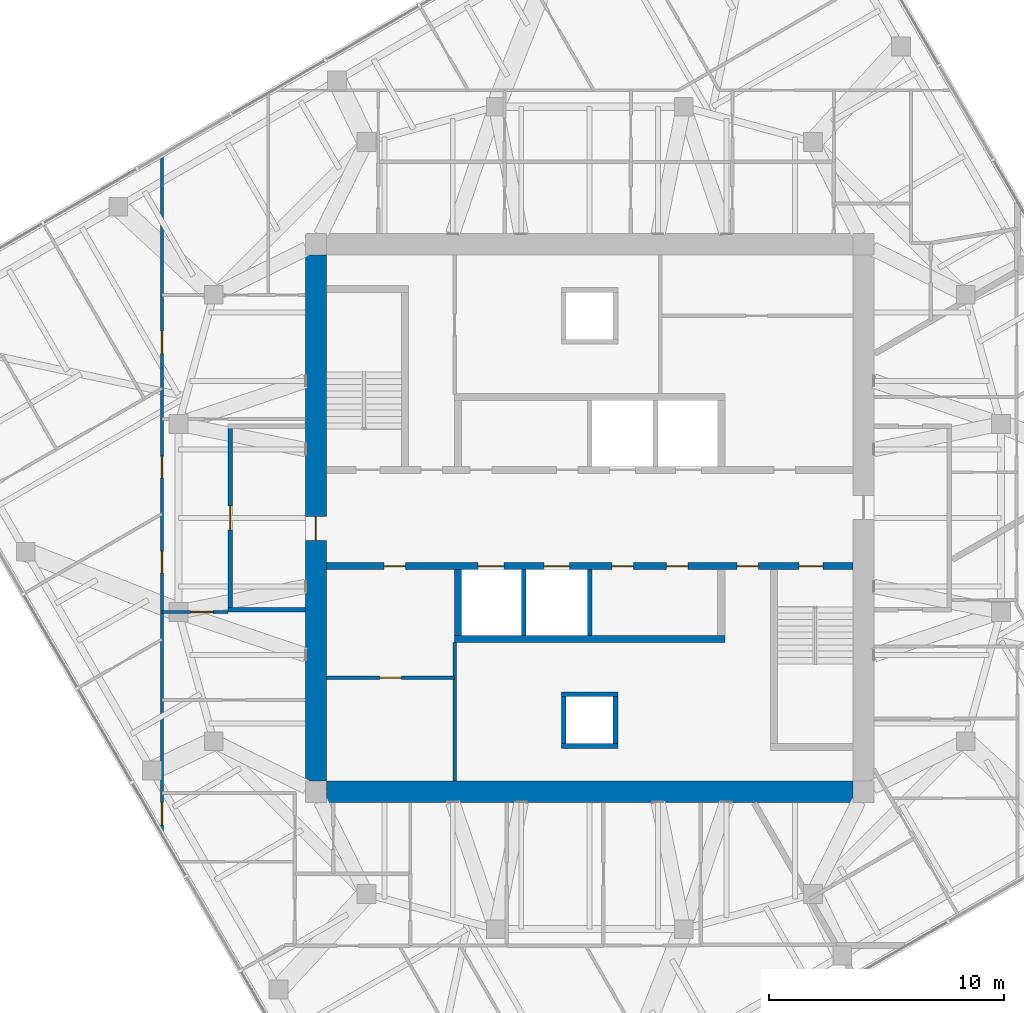
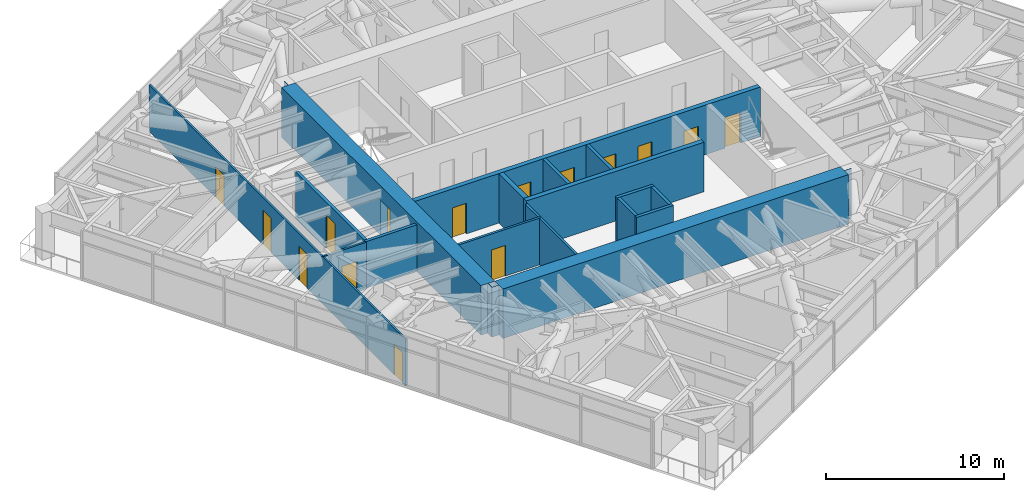
# One storey, part 10 of 16: 17 walls, 15 doors, 15 openings.
"""IFC4 building model written with IfcOpenShell, lengths in metres."""

from ifc_helpers import new_model, si_unit, direction, frame, frame_2d, origin, place, context, subcontext, project, spatial, polyline, rectangle, outline, extrude, material, layer, layer_set, type_object, element, fill, save


model = new_model("IFC4")

# Units and contexts
model_context = context("Model", 3, precision=1e-05, world=origin(), true_north=direction((0.0, 1.0)))
body_context = subcontext(model_context, "Body", "Model", "MODEL_VIEW")
ifc_project = project(units=[si_unit("LENGTHUNIT", "METRE"), si_unit("AREAUNIT", "SQUARE_METRE"), si_unit("VOLUMEUNIT", "CUBIC_METRE"), si_unit("PLANEANGLEUNIT", "RADIAN"), si_unit("MASSUNIT", "GRAM", prefix="KILO")], contexts=[model_context])

# Site, building, storey
site_placement = place(None, origin())
site = spatial("IfcSite", under=ifc_project, at=site_placement, CompositionType="ELEMENT")
building_placement = place(site_placement, origin())
building = spatial("IfcBuilding", under=site, at=building_placement, Name="Torsade Residences", CompositionType="ELEMENT")
storey_placement = place(building_placement, frame((0.0, 0.0, 232.0)))
storey = spatial("IfcBuildingStorey", under=building, at=storey_placement, Name="L64", CompositionType="ELEMENT", Elevation=232.0)

# Wall, openings, doors
ifc_material_1 = material(Name="Concrete 80 MPa", Category="concrete")
ifc_layer_1 = layer(ifc_material_1, 0.300048828125)
ifc_layer_set_1 = layer_set([ifc_layer_1], Name="Concrete 80 MPa")
wall_type_1 = type_object("IfcWallType", Name="CORE INTERNAL WALL 300", PredefinedType="SHEAR", material=ifc_layer_set_1)
wall_1_placement = place(storey_placement, frame((51.199951171875, 27.949951171875, 0.0), z_axis=(0.0, 0.0, 1.0), x_axis=(-1.0, 0.0, 0.0)))
wall_1 = element("IfcWall", 1, at=wall_1_placement, inside=storey, type_object=wall_type_1, Name="Core wall LS L64", PredefinedType="SHEAR", context=body_context, shape_type="SweptSolid", body=[
    extrude(rectangle(XDim=22.39990234375, YDim=0.300048828125, at=frame_2d((11.199951171875, 0.0))), origin(), (0.0, 0.0, 1.0), 3.39990234375),
])
opening_1_placement = place(wall_1_placement, frame((19.0400390625, 0.0, 0.0)))
opening_1 = element("IfcOpeningElement", 2, at=opening_1_placement, cuts=wall_1, Name="Opening D06", PredefinedType="OPENING", context=body_context, shape_type="SweptSolid", body=[
    extrude(rectangle(XDim=0.919921875, YDim=2.10009765625, at=frame_2d((0.4599609375, 1.050048828125))), frame((0.0, 0.159912109375, 0.0), z_axis=(0.0, -1.0, 0.0), x_axis=(1.0, 0.0, 0.0)), (0.0, 0.0, 1.0), 0.320068359375),
])
opening_2_placement = place(wall_1_placement, frame((1.264892578125, 0.0, 0.0)))
opening_2 = element("IfcOpeningElement", 3, at=opening_2_placement, cuts=wall_1, Name="Opening D03", PredefinedType="OPENING", context=body_context, shape_type="SweptSolid", body=[
    extrude(rectangle(XDim=1.02001953125, YDim=2.10009765625, at=frame_2d((0.510009765625, 1.050048828125))), frame((0.0, 0.159912109375, 0.0), z_axis=(0.0, -1.0, 0.0), x_axis=(1.0, 0.0, 0.0)), (0.0, 0.0, 1.0), 0.320068359375),
])
opening_3_placement = place(wall_1_placement, frame((4.014892578125, 0.0, 0.0)))
opening_3 = element("IfcOpeningElement", 4, at=opening_3_placement, cuts=wall_1, Name="Opening D06", PredefinedType="OPENING", context=body_context, shape_type="SweptSolid", body=[
    extrude(rectangle(XDim=0.919921875, YDim=2.10009765625, at=frame_2d((0.4599609375, 1.050048828125))), frame((0.0, 0.159912109375, 0.0), z_axis=(0.0, -1.0, 0.0), x_axis=(1.0, 0.0, 0.0)), (0.0, 0.0, 1.0), 0.320068359375),
])
opening_4_placement = place(wall_1_placement, frame((9.340087890625, 0.0, 0.0)))
opening_4 = element("IfcOpeningElement", 5, at=opening_4_placement, cuts=wall_1, Name="Opening D06", PredefinedType="OPENING", context=body_context, shape_type="SweptSolid", body=[
    extrude(rectangle(XDim=0.919921875, YDim=2.10009765625, at=frame_2d((0.4599609375, 1.050048828125))), frame((0.0, 0.159912109375, 0.0), z_axis=(0.0, -1.0, 0.0), x_axis=(1.0, 0.0, 0.0)), (0.0, 0.0, 1.0), 0.320068359375),
])
opening_5_placement = place(wall_1_placement, frame((7.014892578125, 0.0, 0.0)))
opening_5 = element("IfcOpeningElement", 6, at=opening_5_placement, cuts=wall_1, Name="Opening D06", PredefinedType="OPENING", context=body_context, shape_type="SweptSolid", body=[
    extrude(rectangle(XDim=0.919921875, YDim=2.10009765625, at=frame_2d((0.4599609375, 1.050048828125))), frame((0.0, 0.159912109375, 0.0), z_axis=(0.0, -1.0, 0.0), x_axis=(1.0, 0.0, 0.0)), (0.0, 0.0, 1.0), 0.320068359375),
])
opening_6_placement = place(wall_1_placement, frame((12.050048828125, 0.0, 0.0)))
opening_6 = element("IfcOpeningElement", 7, at=opening_6_placement, cuts=wall_1, Name="Opening LD", PredefinedType="OPENING", context=body_context, shape_type="SweptSolid", body=[
    extrude(rectangle(XDim=1.10009765625, YDim=2.10009765625, at=frame_2d((0.550048828125, 1.050048828125))), frame((0.0, 0.159912109375, 0.0), z_axis=(0.0, -1.0, 0.0), x_axis=(1.0, 0.0, 0.0)), (0.0, 0.0, 1.0), 0.320068359375),
])
opening_7_placement = place(wall_1_placement, frame((14.85009765625, 0.0, 0.0)))
opening_7 = element("IfcOpeningElement", 8, at=opening_7_placement, cuts=wall_1, Name="Opening LD", PredefinedType="OPENING", context=body_context, shape_type="SweptSolid", body=[
    extrude(rectangle(XDim=1.10009765625, YDim=2.10009765625, at=frame_2d((0.550048828125, 1.050048828125))), frame((0.0, 0.159912109375, 0.0), z_axis=(0.0, -1.0, 0.0), x_axis=(1.0, 0.0, 0.0)), (0.0, 0.0, 1.0), 0.320068359375),
])
ifc_material_2 = material(Name="Steel-framed fire door", Category="steel")
door_type_1 = type_object("IfcDoorType", Name="FIRE DOOR 1020", OperationType="NOTDEFINED", PredefinedType="DOOR", material=ifc_material_2)
door_1_placement = place(opening_2_placement, origin())
door_1 = element("IfcDoor", 9, at=door_1_placement, inside=storey, type_object=door_type_1, Name="Exit door to fire-isolated stair ST2 L64", OperationType="SINGLE_SWING_RIGHT", OverallHeight=2.10009765625, OverallWidth=1.02001953125, PredefinedType="DOOR", context=body_context, shape_type="SweptSolid", body=[
    extrude(rectangle(XDim=1.02001953125, YDim=2.10009765625, at=frame_2d((0.510009765625, 1.050048828125))), frame((0.0, 0.02490234375, 0.0), z_axis=(0.0, -1.0, 0.0), x_axis=(1.0, 0.0, 0.0)), (0.0, 0.0, 1.0), 0.050048828125),
])
fill(opening_2, door_1)
ifc_material_3 = material(Name="Steel-framed fire door", Category="steel")
door_type_2 = type_object("IfcDoorType", Name="FIRE DOOR 920", OperationType="NOTDEFINED", PredefinedType="DOOR", material=ifc_material_3)
door_2_placement = place(opening_1_placement, origin())
door_2 = element("IfcDoor", 10, at=door_2_placement, inside=storey, type_object=door_type_2, Name="Door Lift lobby to Cleaner store", OperationType="SINGLE_SWING_LEFT", OverallHeight=2.10009765625, OverallWidth=0.919921875, PredefinedType="DOOR", context=body_context, shape_type="SweptSolid", body=[
    extrude(rectangle(XDim=0.919921875, YDim=2.10009765625, at=frame_2d((0.4599609375, 1.050048828125))), frame((0.0, 0.02490234375, 0.0), z_axis=(0.0, -1.0, 0.0), x_axis=(1.0, 0.0, 0.0)), (0.0, 0.0, 1.0), 0.050048828125),
])
fill(opening_1, door_2)
door_3_placement = place(opening_3_placement, origin())
door_3 = element("IfcDoor", 11, at=door_3_placement, inside=storey, type_object=door_type_2, Name="Door Lift lobby to Communications riser room", OperationType="SINGLE_SWING_RIGHT", OverallHeight=2.10009765625, OverallWidth=0.919921875, PredefinedType="DOOR", context=body_context, shape_type="SweptSolid", body=[
    extrude(rectangle(XDim=0.919921875, YDim=2.10009765625, at=frame_2d((0.4599609375, 1.050048828125))), frame((0.0, 0.02490234375, 0.0), z_axis=(0.0, -1.0, 0.0), x_axis=(1.0, 0.0, 0.0)), (0.0, 0.0, 1.0), 0.050048828125),
])
fill(opening_3, door_3)
door_4_placement = place(opening_4_placement, origin())
door_4 = element("IfcDoor", 12, at=door_4_placement, inside=storey, type_object=door_type_2, Name="Door Lift lobby to Residents storage L64B", OperationType="SINGLE_SWING_LEFT", OverallHeight=2.10009765625, OverallWidth=0.919921875, PredefinedType="DOOR", context=body_context, shape_type="SweptSolid", body=[
    extrude(rectangle(XDim=0.919921875, YDim=2.10009765625, at=frame_2d((0.4599609375, 1.050048828125))), frame((0.0, 0.02490234375, 0.0), z_axis=(0.0, -1.0, 0.0), x_axis=(1.0, 0.0, 0.0)), (0.0, 0.0, 1.0), 0.050048828125),
])
fill(opening_4, door_4)
door_5_placement = place(opening_5_placement, origin())
door_5 = element("IfcDoor", 13, at=door_5_placement, inside=storey, type_object=door_type_2, Name="Door Lift lobby to Residents storage L64B", OperationType="SINGLE_SWING_RIGHT", OverallHeight=2.10009765625, OverallWidth=0.919921875, PredefinedType="DOOR", context=body_context, shape_type="SweptSolid", body=[
    extrude(rectangle(XDim=0.919921875, YDim=2.10009765625, at=frame_2d((0.4599609375, 1.050048828125))), frame((0.0, 0.02490234375, 0.0), z_axis=(0.0, -1.0, 0.0), x_axis=(1.0, 0.0, 0.0)), (0.0, 0.0, 1.0), 0.050048828125),
])
fill(opening_5, door_5)
ifc_material_4 = material(Name="Stainless steel lift landing door", Category="steel")
door_type_3 = type_object("IfcDoorType", Name="LIFT LANDING DOOR 1100", OperationType="SLIDING_TO_LEFT", PredefinedType="DOOR", material=ifc_material_4)
door_6_placement = place(opening_6_placement, origin())
door_6 = element("IfcDoor", 14, at=door_6_placement, inside=storey, type_object=door_type_3, Name="Lift LB3 landing door L64", OperationType="SLIDING_TO_LEFT", OverallHeight=2.10009765625, OverallWidth=1.10009765625, PredefinedType="DOOR", context=body_context, shape_type="SweptSolid", body=[
    extrude(rectangle(XDim=1.10009765625, YDim=2.10009765625, at=frame_2d((0.550048828125, 1.050048828125))), frame((0.0, 0.02490234375, 0.0), z_axis=(0.0, -1.0, 0.0), x_axis=(1.0, 0.0, 0.0)), (0.0, 0.0, 1.0), 0.050048828125),
])
fill(opening_6, door_6)
door_7_placement = place(opening_7_placement, origin())
door_7 = element("IfcDoor", 15, at=door_7_placement, inside=storey, type_object=door_type_3, Name="Lift FL2 landing door L64", OperationType="SLIDING_TO_LEFT", OverallHeight=2.10009765625, OverallWidth=1.10009765625, PredefinedType="DOOR", context=body_context, shape_type="SweptSolid", body=[
    extrude(rectangle(XDim=1.10009765625, YDim=2.10009765625, at=frame_2d((0.550048828125, 1.050048828125))), frame((0.0, 0.02490234375, 0.0), z_axis=(0.0, -1.0, 0.0), x_axis=(1.0, 0.0, 0.0)), (0.0, 0.0, 1.0), 0.050048828125),
])
fill(opening_7, door_7)

# Walls
wall_2_placement = place(storey_placement, frame((45.75, 24.85009765625, 0.0), z_axis=(0.0, 0.0, 1.0), x_axis=(-1.0, 0.0, 0.0)))
element("IfcWall", 16, at=wall_2_placement, inside=storey, type_object=wall_type_1, Name="Core wall BS L64", PredefinedType="SHEAR", context=body_context, shape_type="SweptSolid", body=[
    extrude(rectangle(XDim=11.5, YDim=0.300048828125, at=frame_2d((5.75, 0.0))), origin(), (0.0, 0.0, 1.0), 3.39990234375),
])
wall_3_placement = place(storey_placement, frame((34.39990234375, 27.800048828125, 0.0), z_axis=(0.0, 0.0, 1.0), x_axis=(0.0, -1.0, 0.0)))
element("IfcWall", 17, at=wall_3_placement, inside=storey, type_object=wall_type_1, Name="Core wall DS4 L64", PredefinedType="SHEAR", context=body_context, shape_type="SweptSolid", body=[
    extrude(rectangle(XDim=2.800048828125, YDim=0.300048828125, at=frame_2d((1.39990234375, 0.0))), origin(), (0.0, 0.0, 1.0), 3.39990234375),
])
ifc_material_5 = material(Name="Concrete 80 MPa", Category="concrete")
ifc_layer_2 = layer(ifc_material_5, 0.89990234375)
ifc_layer_set_2 = layer_set([ifc_layer_2], Name="Concrete 80 MPa")
wall_type_2 = type_object("IfcWallType", Name="CORE WALL 900", PredefinedType="SHEAR", material=ifc_layer_set_2)
wall_4_placement = place(storey_placement, frame((51.199951171875, 18.35009765625, 0.0), z_axis=(0.0, 0.0, 1.0), x_axis=(-1.0, 0.0, 0.0)))
element("IfcWall", 18, at=wall_4_placement, inside=storey, type_object=wall_type_2, Name="Core wall S L64", PredefinedType="SHEAR", context=body_context, shape_type="SweptSolid", body=[
    extrude(outline(polyline([(0.0, -0.449951171875), (22.39990234375, -0.449951171875), (22.39990234375, -0.02490234375), (22.849853515625, -0.02490234375), (22.849853515625, 0.02490234375), (22.39990234375, 0.02490234375), (22.39990234375, 0.449951171875), (0.0, 0.449951171875), (0.0, 0.02490234375), (-0.449951171875, 0.02490234375), (-0.449951171875, -0.02490234375), (0.0, -0.02490234375), (0.0, -0.449951171875)])), origin(), (0.0, 0.0, 1.0), 3.39990234375),
])

# Wall, opening, door
wall_5_placement = place(storey_placement, frame((28.35009765625, 41.199951171875, 0.0), z_axis=(0.0, 0.0, 1.0), x_axis=(0.0, -1.0, 0.0)))
wall_5 = element("IfcWall", 19, at=wall_5_placement, inside=storey, type_object=wall_type_2, Name="Core wall W L64", PredefinedType="SHEAR", context=body_context, shape_type="SweptSolid", body=[
    extrude(outline(polyline([(0.0, -0.449951171875), (22.39990234375, -0.449951171875), (22.39990234375, -0.02490234375), (22.849853515625, -0.02490234375), (22.849853515625, 0.02490234375), (22.39990234375, 0.02490234375), (22.39990234375, 0.449951171875), (0.0, 0.449951171875), (0.0, 0.02490234375), (-0.449951171875, 0.02490234375), (-0.449951171875, -0.02490234375), (0.0, -0.02490234375), (0.0, -0.449951171875)])), origin(), (0.0, 0.0, 1.0), 3.39990234375),
])
opening_8_placement = place(wall_5_placement, frame((11.139892578125, 0.0, 0.0)))
opening_8 = element("IfcOpeningElement", 20, at=opening_8_placement, cuts=wall_5, Name="Opening D04", PredefinedType="OPENING", context=body_context, shape_type="SweptSolid", body=[
    extrude(rectangle(XDim=1.02001953125, YDim=2.39990234375, at=frame_2d((0.510009765625, 1.199951171875))), frame((0.0, 0.4599609375, 0.0), z_axis=(0.0, -1.0, 0.0), x_axis=(1.0, 0.0, 0.0)), (0.0, 0.0, 1.0), 0.919921875),
])
ifc_material_6 = material(Name="Steel-framed fire door", Category="steel")
door_type_4 = type_object("IfcDoorType", Name="LOBBY SMOKE DOOR 1020x2400", OperationType="NOTDEFINED", PredefinedType="DOOR", material=ifc_material_6)
door_8_placement = place(opening_8_placement, origin())
door_8 = element("IfcDoor", 21, at=door_8_placement, inside=storey, type_object=door_type_4, Name="Lift lobby door W L64", OperationType="SINGLE_SWING_RIGHT", OverallHeight=2.39990234375, OverallWidth=1.02001953125, PredefinedType="DOOR", context=body_context, shape_type="SweptSolid", body=[
    extrude(rectangle(XDim=1.02001953125, YDim=2.39990234375, at=frame_2d((0.510009765625, 1.199951171875))), frame((0.0, 0.02490234375, 0.0), z_axis=(0.0, -1.0, 0.0), x_axis=(1.0, 0.0, 0.0)), (0.0, 0.0, 1.0), 0.050048828125),
])
fill(opening_8, door_8)

ifc_material_7 = material(Name="Plasterboard on steel stud", Category="steel")
ifc_layer_3 = layer(ifc_material_7, 0.199951171875)
ifc_layer_set_3 = layer_set([ifc_layer_3], Name="Plasterboard on steel stud")
wall_type_3 = type_object("IfcWallType", Name="CORRIDOR WALL 200", PredefinedType="PARTITIONING", material=ifc_layer_set_3)
wall_6_placement = place(storey_placement, frame((24.699951171875, 26.10009765625, 0.0), z_axis=(0.0, 0.0, 1.0), x_axis=(0.0, 1.0, 0.0)))
wall_6 = element("IfcWall", 22, at=wall_6_placement, inside=storey, type_object=wall_type_3, Name="Corridor wall L64", PredefinedType="PARTITIONING", context=body_context, shape_type="SweptSolid", body=[
    extrude(rectangle(XDim=7.7998046875, YDim=0.199951171875, at=frame_2d((3.89990234375, 0.0))), origin(), (0.0, 0.0, 1.0), 3.199951171875),
])
opening_9_placement = place(wall_6_placement, frame((3.389892578125, 0.0, 0.0)))
opening_9 = element("IfcOpeningElement", 23, at=opening_9_placement, cuts=wall_6, Name="Opening D01", PredefinedType="OPENING", context=body_context, shape_type="SweptSolid", body=[
    extrude(rectangle(XDim=1.02001953125, YDim=2.340087890625, at=frame_2d((0.510009765625, 1.169921875))), frame((0.0, 0.10986328125, 0.0), z_axis=(0.0, -1.0, 0.0), x_axis=(1.0, 0.0, 0.0)), (0.0, 0.0, 1.0), 0.219970703125),
])
ifc_material_8 = material(Name="Solid-core timber fire door", Category="wood")
door_type_5 = type_object("IfcDoorType", Name="APARTMENT ENTRY DOOR 1020x2340", OperationType="NOTDEFINED", PredefinedType="DOOR", material=ifc_material_8)
door_9_placement = place(opening_9_placement, origin())
door_9 = element("IfcDoor", 24, at=door_9_placement, inside=storey, type_object=door_type_5, Name="Door Residential corridor to Kitchen and dining", OperationType="SINGLE_SWING_LEFT", OverallHeight=2.340087890625, OverallWidth=1.02001953125, PredefinedType="DOOR", context=body_context, shape_type="SweptSolid", body=[
    extrude(rectangle(XDim=1.02001953125, YDim=2.340087890625, at=frame_2d((0.510009765625, 1.169921875))), frame((0.0, 0.02490234375, 0.0), z_axis=(0.0, -1.0, 0.0), x_axis=(1.0, 0.0, 0.0)), (0.0, 0.0, 1.0), 0.050048828125),
])
fill(opening_9, door_9)

# Walls
wall_7_placement = place(storey_placement, frame((27.89990234375, 26.10009765625, 0.0), z_axis=(0.0, 0.0, 1.0), x_axis=(-1.0, 0.0, 0.0)))
element("IfcWall", 25, at=wall_7_placement, inside=storey, type_object=wall_type_3, Name="Corridor wall L64", PredefinedType="PARTITIONING", context=body_context, shape_type="SweptSolid", body=[
    extrude(rectangle(XDim=3.2998046875, YDim=0.199951171875, at=frame_2d((1.64990234375, 0.0))), origin(), (0.0, 0.0, 1.0), 3.199951171875),
])
ifc_material_9 = material(Name="Reinforced blockwork", Category="masonry")
ifc_layer_4 = layer(ifc_material_9, 0.199951171875)
ifc_layer_set_4 = layer_set([ifc_layer_4], Name="Reinforced blockwork")
wall_type_4 = type_object("IfcWallType", Name="LIFT SHAFT DIVIDING WALL 200", PredefinedType="SOLIDWALL", material=ifc_layer_set_4)
for number, where, z_axis, x_axis, name in (
    (26, (40.0, 27.800048828125, 0.0), (0.0, 0.0, 1.0), (0.0, -1.0, 0.0), "Core wall DS2 L64"),
    (27, (37.199951171875, 27.800048828125, 0.0), (0.0, 0.0, 1.0), (0.0, -1.0, 0.0), "Core wall DS3 L64"),
):
    element("IfcWall", number, at=place(storey_placement, frame(where, z_axis=z_axis, x_axis=x_axis)), inside=storey, type_object=wall_type_4, Name=name, PredefinedType="SOLIDWALL", context=body_context, shape_type="SweptSolid", body=[
        extrude(rectangle(XDim=2.800048828125, YDim=0.199951171875, at=frame_2d((1.39990234375, 0.0))), origin(), (0.0, 0.0, 1.0), 3.39990234375),
    ])

# Wall, opening, door
ifc_material_10 = material(Name="Plasterboard on steel stud", Category="steel")
ifc_layer_5 = layer(ifc_material_10, 0.1201171875)
ifc_layer_set_5 = layer_set([ifc_layer_5], Name="Plasterboard on steel stud")
wall_type_5 = type_object("IfcWallType", Name="PARTITION 120", PredefinedType="PARTITIONING", material=ifc_layer_set_5)
wall_8_placement = place(storey_placement, frame((24.60009765625, 26.0, 0.0), z_axis=(0.0, 0.0, 1.0), x_axis=(-1.0, 0.0, 0.0)))
wall_8 = element("IfcWall", 28, at=wall_8_placement, inside=storey, type_object=wall_type_5, Name="Partition L64", PredefinedType="PARTITIONING", context=body_context, shape_type="SweptSolid", body=[
    extrude(rectangle(XDim=2.800048828125, YDim=0.1201171875, at=frame_2d((1.39990234375, 0.0))), origin(), (0.0, 0.0, 1.0), 3.199951171875),
])
opening_10_placement = place(wall_8_placement, frame((0.6201171875, 0.0, 0.0)))
opening_10 = element("IfcOpeningElement", 29, at=opening_10_placement, cuts=wall_8, Name="Opening D05", PredefinedType="OPENING", context=body_context, shape_type="SweptSolid", body=[
    extrude(rectangle(XDim=0.9599609375, YDim=2.10009765625, at=frame_2d((0.47998046875, 1.050048828125))), frame((0.0, 0.070068359375, 0.0), z_axis=(0.0, -1.0, 0.0), x_axis=(1.0, 0.0, 0.0)), (0.0, 0.0, 1.0), 0.14013671875),
])
ifc_material_11 = material(Name="Hollow-core timber door in a steel cavity frame", Category="steel")
door_type_6 = type_object("IfcDoorType", Name="BATHROOM CAVITY SLIDING DOOR 960", OperationType="SLIDING_TO_LEFT", PredefinedType="DOOR", material=ifc_material_11)
door_10_placement = place(opening_10_placement, origin())
door_10 = element("IfcDoor", 30, at=door_10_placement, inside=storey, type_object=door_type_6, Name="Door Kitchen and dining to Bathroom", OperationType="SLIDING_TO_LEFT", OverallHeight=2.10009765625, OverallWidth=0.9599609375, PredefinedType="DOOR", context=body_context, shape_type="SweptSolid", body=[
    extrude(rectangle(XDim=0.9599609375, YDim=2.10009765625, at=frame_2d((0.47998046875, 1.050048828125))), frame((0.0, 0.02490234375, 0.0), z_axis=(0.0, -1.0, 0.0), x_axis=(1.0, 0.0, 0.0)), (0.0, 0.0, 1.0), 0.050048828125),
])
fill(opening_10, door_10)

# Wall, openings, doors
wall_9_placement = place(storey_placement, frame((21.800048828125, 16.603271484375, 0.0), z_axis=(0.0, 0.0, 1.0), x_axis=(0.0, 1.0, 0.0)))
wall_9 = element("IfcWall", 31, at=wall_9_placement, inside=storey, type_object=wall_type_5, Name="Partition L64", PredefinedType="PARTITIONING", context=body_context, shape_type="SweptSolid", body=[
    extrude(rectangle(XDim=28.823486328125, YDim=0.1201171875, at=frame_2d((14.41162109375, 0.0))), origin(), (0.0, 0.0, 1.0), 3.199951171875),
])
opening_11_placement = place(wall_9_placement, frame((11.05224609375, 0.0, 0.0)))
opening_11 = element("IfcOpeningElement", 32, at=opening_11_placement, cuts=wall_9, Name="Opening D02", PredefinedType="OPENING", context=body_context, shape_type="SweptSolid", body=[
    extrude(rectangle(XDim=0.919921875, YDim=2.340087890625, at=frame_2d((0.4599609375, 1.169921875))), frame((0.0, 0.070068359375, 0.0), z_axis=(0.0, -1.0, 0.0), x_axis=(1.0, 0.0, 0.0)), (0.0, 0.0, 1.0), 0.14013671875),
])
opening_12_placement = place(wall_9_placement, frame((15.102294921875, 0.0, 0.0)))
opening_12 = element("IfcOpeningElement", 33, at=opening_12_placement, cuts=wall_9, Name="Opening D02", PredefinedType="OPENING", context=body_context, shape_type="SweptSolid", body=[
    extrude(rectangle(XDim=0.919921875, YDim=2.340087890625, at=frame_2d((0.4599609375, 1.169921875))), frame((0.0, 0.070068359375, 0.0), z_axis=(0.0, -1.0, 0.0), x_axis=(1.0, 0.0, 0.0)), (0.0, 0.0, 1.0), 0.14013671875),
])
opening_13_placement = place(wall_9_placement, frame((20.389404296875, 0.0, 0.0)))
opening_13 = element("IfcOpeningElement", 34, at=opening_13_placement, cuts=wall_9, Name="Opening D05", PredefinedType="OPENING", context=body_context, shape_type="SweptSolid", body=[
    extrude(rectangle(XDim=0.9599609375, YDim=2.10009765625, at=frame_2d((0.47998046875, 1.050048828125))), frame((0.0, 0.070068359375, 0.0), z_axis=(0.0, -1.0, 0.0), x_axis=(1.0, 0.0, 0.0)), (0.0, 0.0, 1.0), 0.14013671875),
])
opening_14_placement = place(wall_9_placement, frame((0.325927734375, 0.0, 0.0)))
opening_14 = element("IfcOpeningElement", 35, at=opening_14_placement, cuts=wall_9, Name="Opening D05", PredefinedType="OPENING", context=body_context, shape_type="SweptSolid", body=[
    extrude(rectangle(XDim=0.9599609375, YDim=2.10009765625, at=frame_2d((0.47998046875, 1.050048828125))), frame((0.0, 0.070068359375, 0.0), z_axis=(0.0, -1.0, 0.0), x_axis=(1.0, 0.0, 0.0)), (0.0, 0.0, 1.0), 0.14013671875),
])
door_11_placement = place(opening_13_placement, origin())
door_11 = element("IfcDoor", 36, at=door_11_placement, inside=storey, type_object=door_type_6, Name="Door Laundry to Media room", OperationType="SLIDING_TO_LEFT", OverallHeight=2.10009765625, OverallWidth=0.9599609375, PredefinedType="DOOR", context=body_context, shape_type="SweptSolid", body=[
    extrude(rectangle(XDim=0.9599609375, YDim=2.10009765625, at=frame_2d((0.47998046875, 1.050048828125))), frame((0.0, 0.02490234375, 0.0), z_axis=(0.0, -1.0, 0.0), x_axis=(1.0, 0.0, 0.0)), (0.0, 0.0, 1.0), 0.050048828125),
])
fill(opening_13, door_11)
door_12_placement = place(opening_14_placement, origin())
door_12 = element("IfcDoor", 37, at=door_12_placement, inside=storey, type_object=door_type_6, Name="Door Family room 3 to WC 2", OperationType="SLIDING_TO_LEFT", OverallHeight=2.10009765625, OverallWidth=0.9599609375, PredefinedType="DOOR", context=body_context, shape_type="SweptSolid", body=[
    extrude(rectangle(XDim=0.9599609375, YDim=2.10009765625, at=frame_2d((0.47998046875, 1.050048828125))), frame((0.0, 0.02490234375, 0.0), z_axis=(0.0, -1.0, 0.0), x_axis=(1.0, 0.0, 0.0)), (0.0, 0.0, 1.0), 0.050048828125),
])
fill(opening_14, door_12)
ifc_material_12 = material(Name="Hollow-core timber door", Category="wood")
door_type_7 = type_object("IfcDoorType", Name="INTERNAL DOOR 920x2340", OperationType="NOTDEFINED", PredefinedType="DOOR", material=ifc_material_12)
door_13_placement = place(opening_11_placement, origin())
door_13 = element("IfcDoor", 38, at=door_13_placement, inside=storey, type_object=door_type_7, Name="Door Kitchen and dining to Study 3", OperationType="SINGLE_SWING_RIGHT", OverallHeight=2.340087890625, OverallWidth=0.919921875, PredefinedType="DOOR", context=body_context, shape_type="SweptSolid", body=[
    extrude(rectangle(XDim=0.919921875, YDim=2.340087890625, at=frame_2d((0.4599609375, 1.169921875))), frame((0.0, 0.02490234375, 0.0), z_axis=(0.0, -1.0, 0.0), x_axis=(1.0, 0.0, 0.0)), (0.0, 0.0, 1.0), 0.050048828125),
])
fill(opening_11, door_13)
door_14_placement = place(opening_12_placement, origin())
door_14 = element("IfcDoor", 39, at=door_14_placement, inside=storey, type_object=door_type_7, Name="Door Kitchen and dining to Family room", OperationType="SINGLE_SWING_LEFT", OverallHeight=2.340087890625, OverallWidth=0.919921875, PredefinedType="DOOR", context=body_context, shape_type="SweptSolid", body=[
    extrude(rectangle(XDim=0.919921875, YDim=2.340087890625, at=frame_2d((0.4599609375, 1.169921875))), frame((0.0, 0.02490234375, 0.0), z_axis=(0.0, -1.0, 0.0), x_axis=(1.0, 0.0, 0.0)), (0.0, 0.0, 1.0), 0.050048828125),
])
fill(opening_12, door_14)

# Walls
ifc_material_13 = material(Name="Reinforced blockwork", Category="masonry")
ifc_layer_6 = layer(ifc_material_13, 0.199951171875)
ifc_layer_set_6 = layer_set([ifc_layer_6], Name="Reinforced blockwork")
wall_type_6 = type_object("IfcWallType", Name="RISER SHAFT WALL 200", PredefinedType="SOLIDWALL", material=ifc_layer_set_6)
for number, where, z_axis, x_axis, name in (
    (40, (38.89990234375, 22.39990234375, 0.0), (0.0, 0.0, 1.0), (0.0, -1.0, 0.0), "Core wall RS2a L64"),
    (41, (41.10009765625, 22.39990234375, 0.0), (0.0, 0.0, 1.0), (0.0, -1.0, 0.0), "Core wall RS2b L64"),
):
    element("IfcWall", number, at=place(storey_placement, frame(where, z_axis=z_axis, x_axis=x_axis)), inside=storey, type_object=wall_type_6, Name=name, PredefinedType="SOLIDWALL", context=body_context, shape_type="SweptSolid", body=[
        extrude(rectangle(XDim=2.0, YDim=0.199951171875, at=frame_2d((1.0, 0.0))), origin(), (0.0, 0.0, 1.0), 3.39990234375),
    ])
for number, where, z_axis, x_axis, name in (
    (42, (38.800048828125, 22.5, 0.0), (0.0, 0.0, 1.0), (1.0, 0.0, 0.0), "Core wall RS2c L64"),
    (43, (38.800048828125, 20.300048828125, 0.0), (0.0, 0.0, 1.0), (1.0, 0.0, 0.0), "Core wall RS2d L64"),
):
    element("IfcWall", number, at=place(storey_placement, frame(where, z_axis=z_axis, x_axis=x_axis)), inside=storey, type_object=wall_type_6, Name=name, PredefinedType="SOLIDWALL", context=body_context, shape_type="SweptSolid", body=[
        extrude(rectangle(XDim=2.39990234375, YDim=0.199951171875, at=frame_2d((1.199951171875, 0.0))), origin(), (0.0, 0.0, 1.0), 3.39990234375),
    ])
ifc_material_14 = material(Name="Reinforced blockwork", Category="masonry")
ifc_layer_7 = layer(ifc_material_14, 0.14990234375)
ifc_layer_set_7 = layer_set([ifc_layer_7], Name="Reinforced blockwork")
wall_type_7 = type_object("IfcWallType", Name="SERVICE ROOM WALL 150", PredefinedType="SOLIDWALL", material=ifc_layer_set_7)
wall_10_placement = place(storey_placement, frame((34.25, 18.800048828125, 0.0), z_axis=(0.0, 0.0, 1.0), x_axis=(0.0, 1.0, 0.0)))
element("IfcWall", 44, at=wall_10_placement, inside=storey, type_object=wall_type_7, Name="Service room wall L64", PredefinedType="SOLIDWALL", context=body_context, shape_type="SweptSolid", body=[
    extrude(rectangle(XDim=5.89990234375, YDim=0.14990234375, at=frame_2d((2.949951171875, 0.0))), origin(), (0.0, 0.0, 1.0), 3.199951171875),
])

# Wall, opening, door
wall_11_placement = place(storey_placement, frame((34.25, 23.199951171875, 0.0), z_axis=(0.0, 0.0, 1.0), x_axis=(-1.0, 0.0, 0.0)))
wall_11 = element("IfcWall", 45, at=wall_11_placement, inside=storey, type_object=wall_type_7, Name="Service room wall L64", PredefinedType="SOLIDWALL", context=body_context, shape_type="SweptSolid", body=[
    extrude(rectangle(XDim=5.449951171875, YDim=0.14990234375, at=frame_2d((2.72509765625, 0.0))), origin(), (0.0, 0.0, 1.0), 3.199951171875),
])
opening_15_placement = place(wall_11_placement, frame((2.264892578125, 0.0, 0.0)))
opening_15 = element("IfcOpeningElement", 46, at=opening_15_placement, cuts=wall_11, Name="Opening D06", PredefinedType="OPENING", context=body_context, shape_type="SweptSolid", body=[
    extrude(rectangle(XDim=0.919921875, YDim=2.10009765625, at=frame_2d((0.4599609375, 1.050048828125))), frame((0.0, 0.0849609375, 0.0), z_axis=(0.0, -1.0, 0.0), x_axis=(1.0, 0.0, 0.0)), (0.0, 0.0, 1.0), 0.169921875),
])
door_15_placement = place(opening_15_placement, origin())
door_15 = element("IfcDoor", 47, at=door_15_placement, inside=storey, type_object=door_type_2, Name="Door Cleaner store to Building store", OperationType="SINGLE_SWING_LEFT", OverallHeight=2.10009765625, OverallWidth=0.919921875, PredefinedType="DOOR", context=body_context, shape_type="SweptSolid", body=[
    extrude(rectangle(XDim=0.919921875, YDim=2.10009765625, at=frame_2d((0.4599609375, 1.050048828125))), frame((0.0, 0.02490234375, 0.0), z_axis=(0.0, -1.0, 0.0), x_axis=(1.0, 0.0, 0.0)), (0.0, 0.0, 1.0), 0.050048828125),
])
fill(opening_15, door_15)

save(model, "model.ifc")
